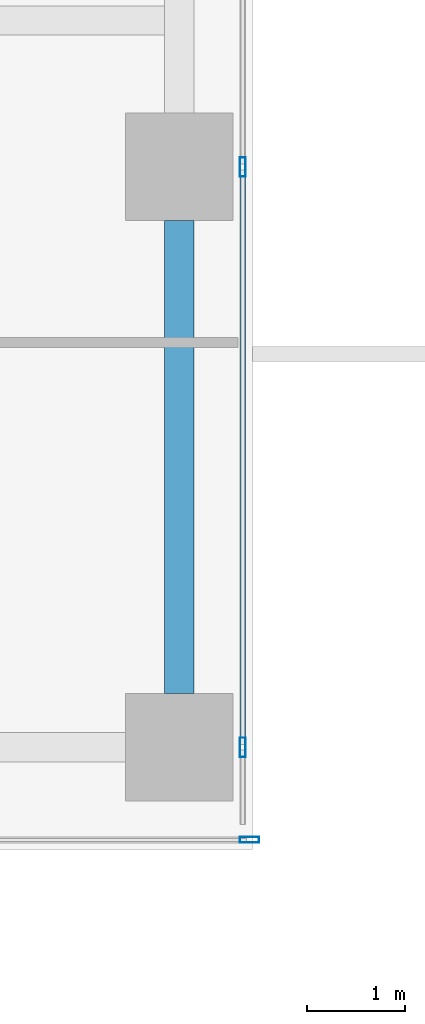
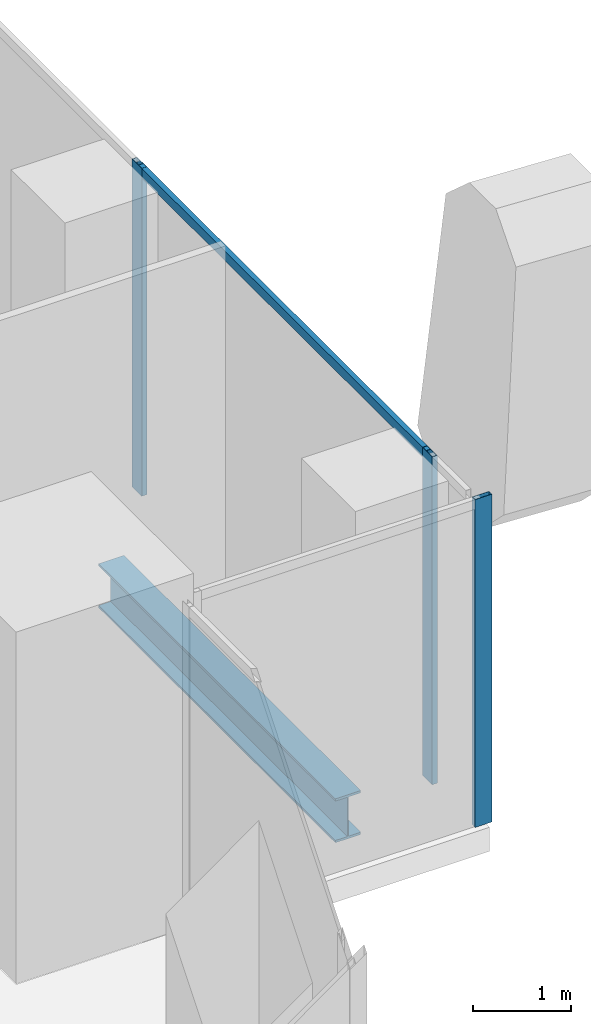
# One storey, part 11 of 35: 4 members, 1 beam, 2 elements without a shape of their own.
"""IFC4 building model written with IfcOpenShell, lengths in metres."""

from ifc_helpers import new_model, si_unit, direction, frame, origin, origin_2d, place, context, subcontext, project, spatial, hollow_rectangle, i_section, extrude, source, transform, mapped, material, material_profile, profile_set, type_object, element, aggregate, save


model = new_model("IFC4")

# Units and contexts
model_context = context("Model", 3, precision=1e-05, world=origin(), true_north=direction((0.0, 1.0)))
body_context = subcontext(model_context, "Body", "Model", "MODEL_VIEW")
ifc_project = project(units=[si_unit("LENGTHUNIT", "METRE"), si_unit("AREAUNIT", "SQUARE_METRE"), si_unit("VOLUMEUNIT", "CUBIC_METRE"), si_unit("PLANEANGLEUNIT", "RADIAN"), si_unit("MASSUNIT", "GRAM", prefix="KILO")], contexts=[model_context])

# Site, building, storey
site_placement = place(None, origin())
site = spatial("IfcSite", under=ifc_project, at=site_placement, CompositionType="ELEMENT")
building_placement = place(site_placement, origin())
building = spatial("IfcBuilding", under=site, at=building_placement, Name="Khomas Fold Tower", CompositionType="ELEMENT")
storey_placement = place(building_placement, frame((0.0, 0.0, 136.699951171875)))
storey = spatial("IfcBuildingStorey", under=building, at=storey_placement, Name="L29", CompositionType="ELEMENT", Elevation=136.699951171875)

# Beam
ifc_material_1 = material(Name="Steel S355", Category="steel")
ifc_material_profile_1 = material_profile(ifc_material_1, i_section(OverallWidth=0.300048828125, OverallDepth=0.550048828125, WebThickness=0.014892578125, FlangeThickness=0.029052734375, at=origin_2d()), Name="HE 550 B")
ifc_profile_set_1 = profile_set([ifc_material_profile_1], Name="Steel S355")
beam_type = type_object("IfcBeamType", Name="HE 550 B spandrel SB2", PredefinedType="SPANDREL", material=ifc_profile_set_1)
shared_shape_1 = source(origin(), body_context, "Body", "SweptSolid", [
    extrude(i_section(OverallWidth=0.300048828125, OverallDepth=0.550048828125, WebThickness=0.014892578125, FlangeThickness=0.029052734375, at=origin_2d()), origin(), (0.0, 0.0, 1.0), 4.849853515625),
])
beam_placement = place(storey_placement, frame((51.75, 6.60009765625, -0.574951171875), z_axis=(0.0, 1.0, 0.0), x_axis=(-1.0, 0.0, 0.0)))
element("IfcBeam", 1, at=beam_placement, inside=storey, type_object=beam_type, Name="SB2", PredefinedType="SPANDREL", context=body_context, shape_type="MappedRepresentation", body=[
    mapped(shared_shape_1, transform((0.0, 0.0, 0.0))),
])

# Curtain wall, member
ifc_material_2 = material(Name="Aluminium framed double glazing", Category="aluminium")
curtain_wall_type = type_object("IfcCurtainWallType", Name="SK-Unitised clear-glass wall, growing floors CW1", PredefinedType="NOTDEFINED", material=ifc_material_2)
curtain_wall_1_placement = place(storey_placement, origin())
curtain_wall_1 = element("IfcCurtainWall", 2, at=curtain_wall_1_placement, inside=storey, type_object=curtain_wall_type, Name="CW1 corner return L29 02", PredefinedType="NOTDEFINED")
ifc_material_3 = material(Name="Aluminium", Category="aluminium")
ifc_material_profile_2 = material_profile(ifc_material_3, hollow_rectangle(XDim=0.06005859375, YDim=0.199951171875, WallThickness=0.00390625, at=origin_2d()), Name="SK-Unitised clear-glass wall, growing floors mullion CW1-M")
ifc_profile_set_2 = profile_set([ifc_material_profile_2], Name="Aluminium")
member_type_1 = type_object("IfcMemberType", Name="SK-Unitised clear-glass wall, growing floors mullion CW1-M", PredefinedType="MULLION", material=ifc_profile_set_2)
shared_shape_2 = source(origin(), body_context, "Body", "SweptSolid", [
    extrude(hollow_rectangle(XDim=0.06005859375, YDim=0.199951171875, WallThickness=0.00390625, at=origin_2d()), origin(), (0.0, 0.0, 1.0), 4.10009765625),
])
member_1_placement = place(storey_placement, frame((52.469970703125, 5.10009765625, 0.0), z_axis=(0.0, 0.0, 1.0), x_axis=(0.0, 1.0, 0.0)))
member_1 = element("IfcMember", 3, at=member_1_placement, type_object=member_type_1, Name="CW1 mullion 2", PredefinedType="MULLION", context=body_context, shape_type="MappedRepresentation", body=[
    mapped(shared_shape_2, transform((0.0, 0.0, 0.0))),
])
aggregate(curtain_wall_1, [member_1])

# Curtain wall, members
curtain_wall_2_placement = place(storey_placement, origin())
curtain_wall_2 = element("IfcCurtainWall", 4, at=curtain_wall_2_placement, inside=storey, type_object=curtain_wall_type, Name="CW1 run L29 03-0", PredefinedType="NOTDEFINED")
member_2_placement = place(storey_placement, frame((52.39990234375, 6.050048828125, 0.0), z_axis=(0.0, 0.0, 1.0), x_axis=(-1.0, 0.0, 0.0)))
member_2 = element("IfcMember", 5, at=member_2_placement, type_object=member_type_1, Name="CW1 mullion 2", PredefinedType="MULLION", context=body_context, shape_type="MappedRepresentation", body=[
    mapped(shared_shape_2, transform((0.0, 0.0, 0.0))),
])
member_3_placement = place(storey_placement, frame((52.39990234375, 12.0, 0.0), z_axis=(0.0, 0.0, 1.0), x_axis=(-1.0, 0.0, 0.0)))
member_3 = element("IfcMember", 6, at=member_3_placement, type_object=member_type_1, Name="CW1 mullion 3", PredefinedType="MULLION", context=body_context, shape_type="MappedRepresentation", body=[
    mapped(shared_shape_2, transform((0.0, 0.0, 0.0))),
])
ifc_material_4 = material(Name="Aluminium", Category="aluminium")
ifc_material_profile_3 = material_profile(ifc_material_4, hollow_rectangle(XDim=0.06005859375, YDim=0.1201171875, WallThickness=0.00390625, at=origin_2d()), Name="SK-Unitised clear-glass wall, growing floors transom CW1-T")
ifc_profile_set_3 = profile_set([ifc_material_profile_3], Name="Aluminium")
member_type_2 = type_object("IfcMemberType", Name="SK-Unitised clear-glass wall, growing floors transom CW1-T", PredefinedType="USERDEFINED", material=ifc_profile_set_3)
shared_shape_3 = source(origin(), body_context, "Body", "SweptSolid", [
    extrude(hollow_rectangle(XDim=0.06005859375, YDim=0.1201171875, WallThickness=0.00390625, at=origin_2d()), origin(), (0.0, 0.0, 1.0), 5.889892578125),
])
member_4_placement = place(storey_placement, frame((52.39990234375, 6.080078125, 4.0400390625), z_axis=(0.0, 1.0, 0.0), x_axis=(-1.0, 0.0, 0.0)))
member_4 = element("IfcMember", 7, at=member_4_placement, type_object=member_type_2, Name="CW1 transom 2", ObjectType="TRANSOM", PredefinedType="USERDEFINED", context=body_context, shape_type="MappedRepresentation", body=[
    mapped(shared_shape_3, transform((0.0, 0.0, 0.0))),
])
aggregate(curtain_wall_2, [member_2, member_3, member_4])

save(model, "model.ifc")
